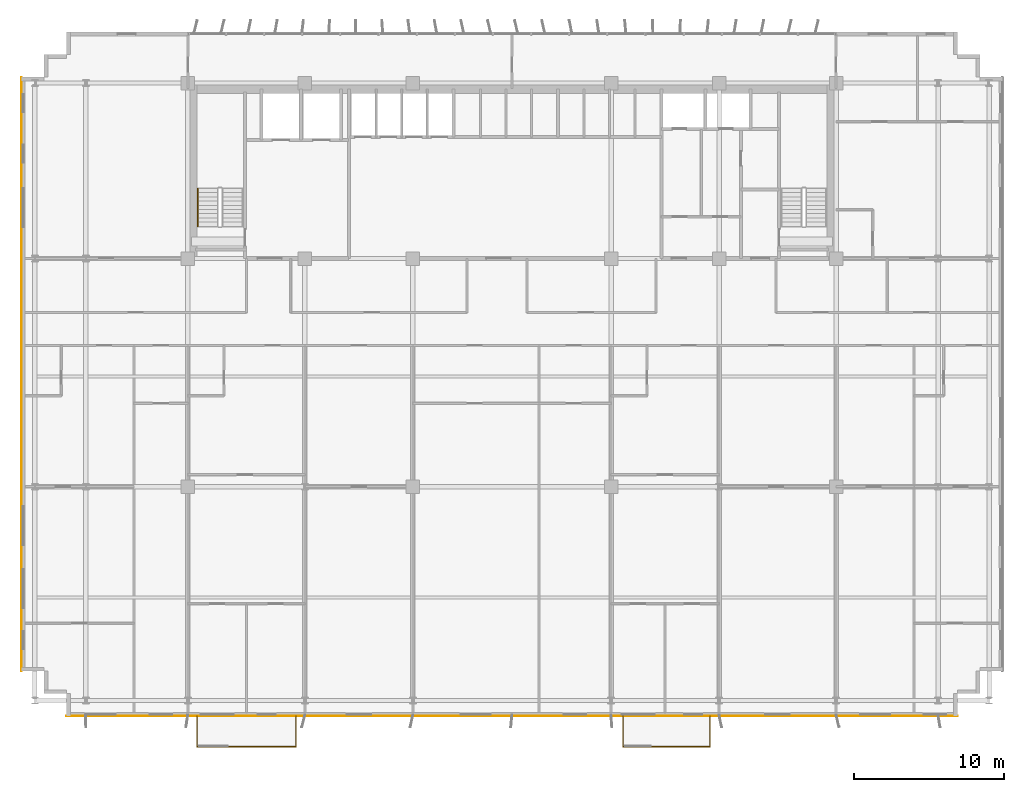
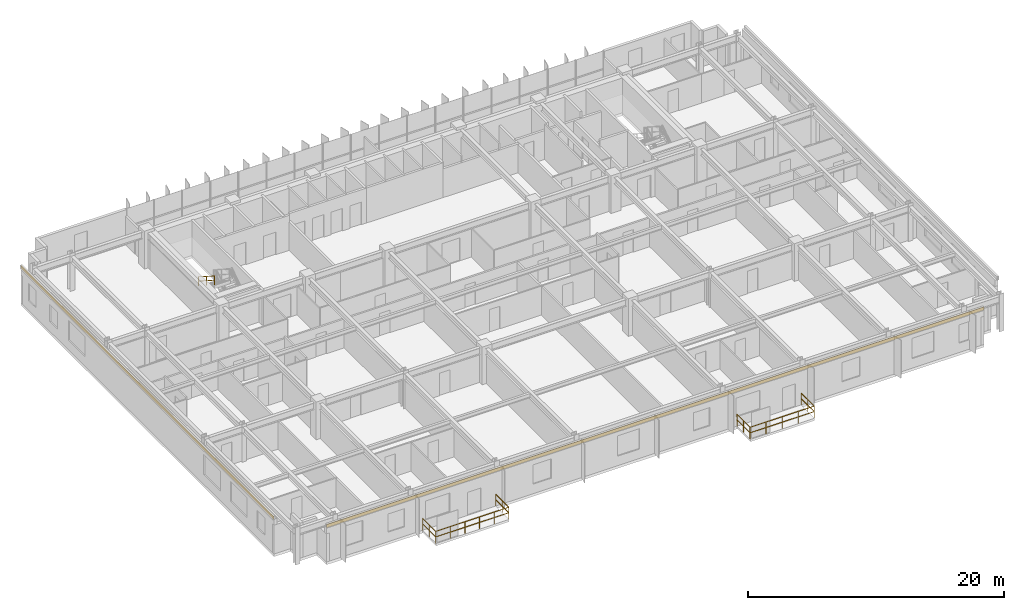
# One storey, part 20 of 22: 7 railings, 2 coverings.
"""IFC4 building model written with IfcOpenShell, lengths in metres."""

from ifc_helpers import new_model, si_unit, direction, frame, origin, origin_2d, place, context, subcontext, project, spatial, rectangle, extrude, source, transform, mapped, material, layer, layer_set, type_object, element, save


model = new_model("IFC4")

# Units and contexts
model_context = context("Model", 3, precision=1e-05, world=origin(), true_north=direction((0.0, 1.0)))
body_context = subcontext(model_context, "Body", "Model", "MODEL_VIEW")
ifc_project = project(units=[si_unit("LENGTHUNIT", "METRE"), si_unit("AREAUNIT", "SQUARE_METRE"), si_unit("VOLUMEUNIT", "CUBIC_METRE"), si_unit("PLANEANGLEUNIT", "RADIAN"), si_unit("MASSUNIT", "GRAM", prefix="KILO")], contexts=[model_context])

# Site, building, storey
site_placement = place(None, origin())
site = spatial("IfcSite", under=ifc_project, at=site_placement, CompositionType="ELEMENT")
building_placement = place(site_placement, origin())
building = spatial("IfcBuilding", under=site, at=building_placement, Name="Trelvane Seafront Commons", CompositionType="ELEMENT")
storey_placement = place(building_placement, frame((0.0, 0.0, 48.699951171875)))
storey = spatial("IfcBuildingStorey", under=building, at=storey_placement, Name="L12", CompositionType="ELEMENT", Elevation=48.699951171875)

# Railings
ifc_material_1 = material(Name="Stainless steel balustrade", Category="steel")
railing_type_1 = type_object("IfcRailingType", Name="ARCH-RAIL-BAL1150", PredefinedType="BALUSTRADE", material=ifc_material_1)
railing_1_placement = place(storey_placement, frame((16.199951171875, 2.89990234375, 0.0)))
element("IfcRailing", 1, at=railing_1_placement, inside=storey, type_object=railing_type_1, Name="RL-L12-BAL0-01", PredefinedType="BALUSTRADE", context=body_context, shape_type="SweptSolid", body=[
    extrude(rectangle(XDim=0.048095703125, YDim=0.048095703125, at=origin_2d()), frame((0.0, 0.0, 1.1259765625), z_axis=(0.0, -1.0, 0.0), x_axis=(1.0, 0.0, 0.0)), (0.0, 0.0, 1.0), 2.039794921875),
    extrude(rectangle(XDim=0.048095703125, YDim=0.048095703125, at=origin_2d()), frame((0.0, 0.0, 0.597900390625), z_axis=(0.0, -1.0, 0.0), x_axis=(1.0, 0.0, 0.0)), (0.0, 0.0, 1.0), 2.039794921875),
    extrude(rectangle(XDim=0.0419921875, YDim=0.0419921875, at=origin_2d()), origin(), (0.0, 0.0, 1.0), 1.1259765625),
    extrude(rectangle(XDim=0.0419921875, YDim=0.0419921875, at=origin_2d()), frame((0.0, -1.02001953125, 0.0)), (0.0, 0.0, 1.0), 1.1259765625),
    extrude(rectangle(XDim=0.0419921875, YDim=0.0419921875, at=origin_2d()), frame((0.0, -2.039794921875, 0.0)), (0.0, 0.0, 1.0), 1.1259765625),
])
railing_2_placement = place(storey_placement, frame((16.199951171875, 0.860107421875, 0.0)))
element("IfcRailing", 2, at=railing_2_placement, inside=storey, type_object=railing_type_1, Name="RL-L12-BAL0-02", PredefinedType="BALUSTRADE", context=body_context, shape_type="SweptSolid", body=[
    extrude(rectangle(XDim=0.048095703125, YDim=0.048095703125, at=origin_2d()), frame((0.0, 0.0, 1.1259765625), z_axis=(1.0, 0.0, 0.0), x_axis=(0.0, 1.0, 0.0)), (0.0, 0.0, 1.0), 6.60009765625),
    extrude(rectangle(XDim=0.048095703125, YDim=0.048095703125, at=origin_2d()), frame((0.0, 0.0, 0.597900390625), z_axis=(1.0, 0.0, 0.0), x_axis=(0.0, 1.0, 0.0)), (0.0, 0.0, 1.0), 6.60009765625),
    extrude(rectangle(XDim=0.0419921875, YDim=0.0419921875, at=origin_2d()), origin(), (0.0, 0.0, 1.0), 1.1259765625),
    extrude(rectangle(XDim=0.0419921875, YDim=0.0419921875, at=origin_2d()), frame((1.320068359375, 0.0, 0.0)), (0.0, 0.0, 1.0), 1.1259765625),
    extrude(rectangle(XDim=0.0419921875, YDim=0.0419921875, at=origin_2d()), frame((2.64013671875, 0.0, 0.0)), (0.0, 0.0, 1.0), 1.1259765625),
    extrude(rectangle(XDim=0.0419921875, YDim=0.0419921875, at=origin_2d()), frame((3.9599609375, 0.0, 0.0)), (0.0, 0.0, 1.0), 1.1259765625),
    extrude(rectangle(XDim=0.0419921875, YDim=0.0419921875, at=origin_2d()), frame((5.280029296875, 0.0, 0.0)), (0.0, 0.0, 1.0), 1.1259765625),
    extrude(rectangle(XDim=0.0419921875, YDim=0.0419921875, at=origin_2d()), frame((6.60009765625, 0.0, 0.0)), (0.0, 0.0, 1.0), 1.1259765625),
])
railing_3_placement = place(storey_placement, frame((22.800048828125, 0.860107421875, 0.0)))
element("IfcRailing", 3, at=railing_3_placement, inside=storey, type_object=railing_type_1, Name="RL-L12-BAL0-03", PredefinedType="BALUSTRADE", context=body_context, shape_type="SweptSolid", body=[
    extrude(rectangle(XDim=0.048095703125, YDim=0.048095703125, at=origin_2d()), frame((0.0, 0.0, 1.1259765625), z_axis=(0.0, 1.0, 0.0), x_axis=(-1.0, 0.0, 0.0)), (0.0, 0.0, 1.0), 2.039794921875),
    extrude(rectangle(XDim=0.048095703125, YDim=0.048095703125, at=origin_2d()), frame((0.0, 0.0, 0.597900390625), z_axis=(0.0, 1.0, 0.0), x_axis=(-1.0, 0.0, 0.0)), (0.0, 0.0, 1.0), 2.039794921875),
    extrude(rectangle(XDim=0.0419921875, YDim=0.0419921875, at=origin_2d()), origin(), (0.0, 0.0, 1.0), 1.1259765625),
    extrude(rectangle(XDim=0.0419921875, YDim=0.0419921875, at=origin_2d()), frame((0.0, 1.02001953125, 0.0)), (0.0, 0.0, 1.0), 1.1259765625),
    extrude(rectangle(XDim=0.0419921875, YDim=0.0419921875, at=origin_2d()), frame((0.0, 2.039794921875, 0.0)), (0.0, 0.0, 1.0), 1.1259765625),
])
railing_4_placement = place(storey_placement, frame((44.60009765625, 2.89990234375, 0.0)))
element("IfcRailing", 4, at=railing_4_placement, inside=storey, type_object=railing_type_1, Name="RL-L12-BAL1-01", PredefinedType="BALUSTRADE", context=body_context, shape_type="SweptSolid", body=[
    extrude(rectangle(XDim=0.048095703125, YDim=0.048095703125, at=origin_2d()), frame((0.0, 0.0, 1.1259765625), z_axis=(0.0, -1.0, 0.0), x_axis=(1.0, 0.0, 0.0)), (0.0, 0.0, 1.0), 2.039794921875),
    extrude(rectangle(XDim=0.048095703125, YDim=0.048095703125, at=origin_2d()), frame((0.0, 0.0, 0.597900390625), z_axis=(0.0, -1.0, 0.0), x_axis=(1.0, 0.0, 0.0)), (0.0, 0.0, 1.0), 2.039794921875),
    extrude(rectangle(XDim=0.0419921875, YDim=0.0419921875, at=origin_2d()), origin(), (0.0, 0.0, 1.0), 1.1259765625),
    extrude(rectangle(XDim=0.0419921875, YDim=0.0419921875, at=origin_2d()), frame((0.0, -1.02001953125, 0.0)), (0.0, 0.0, 1.0), 1.1259765625),
    extrude(rectangle(XDim=0.0419921875, YDim=0.0419921875, at=origin_2d()), frame((0.0, -2.039794921875, 0.0)), (0.0, 0.0, 1.0), 1.1259765625),
])
railing_5_placement = place(storey_placement, frame((44.60009765625, 0.860107421875, 0.0)))
element("IfcRailing", 5, at=railing_5_placement, inside=storey, type_object=railing_type_1, Name="RL-L12-BAL1-02", PredefinedType="BALUSTRADE", context=body_context, shape_type="SweptSolid", body=[
    extrude(rectangle(XDim=0.048095703125, YDim=0.048095703125, at=origin_2d()), frame((0.0, 0.0, 1.1259765625), z_axis=(1.0, 0.0, 0.0), x_axis=(0.0, 1.0, 0.0)), (0.0, 0.0, 1.0), 5.7998046875),
    extrude(rectangle(XDim=0.048095703125, YDim=0.048095703125, at=origin_2d()), frame((0.0, 0.0, 0.597900390625), z_axis=(1.0, 0.0, 0.0), x_axis=(0.0, 1.0, 0.0)), (0.0, 0.0, 1.0), 5.7998046875),
    extrude(rectangle(XDim=0.0419921875, YDim=0.0419921875, at=origin_2d()), origin(), (0.0, 0.0, 1.0), 1.1259765625),
    extrude(rectangle(XDim=0.0419921875, YDim=0.0419921875, at=origin_2d()), frame((1.449951171875, 0.0, 0.0)), (0.0, 0.0, 1.0), 1.1259765625),
    extrude(rectangle(XDim=0.0419921875, YDim=0.0419921875, at=origin_2d()), frame((2.89990234375, 0.0, 0.0)), (0.0, 0.0, 1.0), 1.1259765625),
    extrude(rectangle(XDim=0.0419921875, YDim=0.0419921875, at=origin_2d()), frame((4.349853515625, 0.0, 0.0)), (0.0, 0.0, 1.0), 1.1259765625),
    extrude(rectangle(XDim=0.0419921875, YDim=0.0419921875, at=origin_2d()), frame((5.7998046875, 0.0, 0.0)), (0.0, 0.0, 1.0), 1.1259765625),
])
railing_6_placement = place(storey_placement, frame((50.39990234375, 0.860107421875, 0.0)))
element("IfcRailing", 6, at=railing_6_placement, inside=storey, type_object=railing_type_1, Name="RL-L12-BAL1-03", PredefinedType="BALUSTRADE", context=body_context, shape_type="SweptSolid", body=[
    extrude(rectangle(XDim=0.048095703125, YDim=0.048095703125, at=origin_2d()), frame((0.0, 0.0, 1.1259765625), z_axis=(0.0, 1.0, 0.0), x_axis=(-1.0, 0.0, 0.0)), (0.0, 0.0, 1.0), 2.039794921875),
    extrude(rectangle(XDim=0.048095703125, YDim=0.048095703125, at=origin_2d()), frame((0.0, 0.0, 0.597900390625), z_axis=(0.0, 1.0, 0.0), x_axis=(-1.0, 0.0, 0.0)), (0.0, 0.0, 1.0), 2.039794921875),
    extrude(rectangle(XDim=0.0419921875, YDim=0.0419921875, at=origin_2d()), origin(), (0.0, 0.0, 1.0), 1.1259765625),
    extrude(rectangle(XDim=0.0419921875, YDim=0.0419921875, at=origin_2d()), frame((0.0, 1.02001953125, 0.0)), (0.0, 0.0, 1.0), 1.1259765625),
    extrude(rectangle(XDim=0.0419921875, YDim=0.0419921875, at=origin_2d()), frame((0.0, 2.039794921875, 0.0)), (0.0, 0.0, 1.0), 1.1259765625),
])
railing_type_2 = type_object("IfcRailingType", Name="ARCH-SRL-HAND", PredefinedType="HANDRAIL", material=ifc_material_1)
railing_7_placement = place(storey_placement, frame((16.25, 38.070068359375, 1.97998046875)))
element("IfcRailing", 7, at=railing_7_placement, inside=storey, type_object=railing_type_2, Name="L12 ST-1 stair handrail 2", PredefinedType="HANDRAIL", context=body_context, shape_type="SweptSolid", body=[
    extrude(rectangle(XDim=0.048095703125, YDim=0.048095703125, at=origin_2d()), frame((0.0, 0.0, 0.8759765625), z_axis=(0.0, -0.841162588446, 0.540782303519), x_axis=(1.0, 0.0, 0.0)), (0.0, 0.0, 1.0), 2.995849609375),
    extrude(rectangle(XDim=0.048095703125, YDim=0.048095703125, at=origin_2d()), frame((0.0, 0.0, 0.468017578125), z_axis=(0.0, -0.841162588446, 0.540782303519), x_axis=(1.0, 0.0, 0.0)), (0.0, 0.0, 1.0), 2.995849609375),
    extrude(rectangle(XDim=0.0419921875, YDim=0.0419921875, at=origin_2d()), origin(), (0.0, 0.0, 1.0), 0.8759765625),
    extrude(rectangle(XDim=0.0419921875, YDim=0.0419921875, at=origin_2d()), frame((0.0, -1.260009765625, 0.81005859375)), (0.0, 0.0, 1.0), 0.8759765625),
    extrude(rectangle(XDim=0.0419921875, YDim=0.0419921875, at=origin_2d()), frame((0.0, -2.52001953125, 1.6201171875)), (0.0, 0.0, 1.0), 0.8759765625),
])

# Coverings
ifc_material_2 = material(Name="Anodised pale-silver aluminium", Category="aluminium")
ifc_layer = layer(ifc_material_2, 0.034912109375, Name="ARCH-COV-CLAD35")
ifc_layer_set = layer_set([ifc_layer], Name="Anodised pale-silver aluminium")
covering_type = type_object("IfcCoveringType", Name="ARCH-COV-CLAD35", PredefinedType="CLADDING", material=ifc_layer_set)
shared_shape_1 = source(origin(), body_context, "Body", "SweptSolid", [
    extrude(rectangle(XDim=39.60009765625, YDim=0.034912109375, at=origin_2d()), origin(), (0.0, 0.0, 1.0), 0.300048828125),
])
covering_1_placement = place(storey_placement, frame((4.5, 25.699951171875, 3.2998046875), z_axis=(0.0, 0.0, 1.0), x_axis=(0.0, 1.0, 0.0)))
element("IfcCovering", 8, at=covering_1_placement, inside=storey, type_object=covering_type, Name="CLD-L12-00060", PredefinedType="CLADDING", context=body_context, shape_type="MappedRepresentation", body=[
    mapped(shared_shape_1, transform((0.0, 0.0, 0.0), x_axis=(1.0, 0.0, 0.0), y_axis=(0.0, 1.0, 0.0), z_axis=(0.0, 0.0, 1.0), scale=1.0)),
])
shared_shape_2 = source(origin(), body_context, "Body", "SweptSolid", [
    extrude(rectangle(XDim=59.39990234375, YDim=0.034912109375, at=origin_2d()), origin(), (0.0, 0.0, 1.0), 0.300048828125),
])
covering_2_placement = place(storey_placement, frame((37.199951171875, 2.89990234375, 3.2998046875), z_axis=(0.0, 0.0, 1.0), x_axis=(-1.0, 0.0, 0.0)))
element("IfcCovering", 9, at=covering_2_placement, inside=storey, type_object=covering_type, Name="CLD-L12-00062", PredefinedType="CLADDING", context=body_context, shape_type="MappedRepresentation", body=[
    mapped(shared_shape_2, transform((0.0, 0.0, 0.0), x_axis=(1.0, 0.0, 0.0), y_axis=(0.0, 1.0, 0.0), z_axis=(0.0, 0.0, 1.0), scale=1.0)),
])

save(model, "model.ifc")
